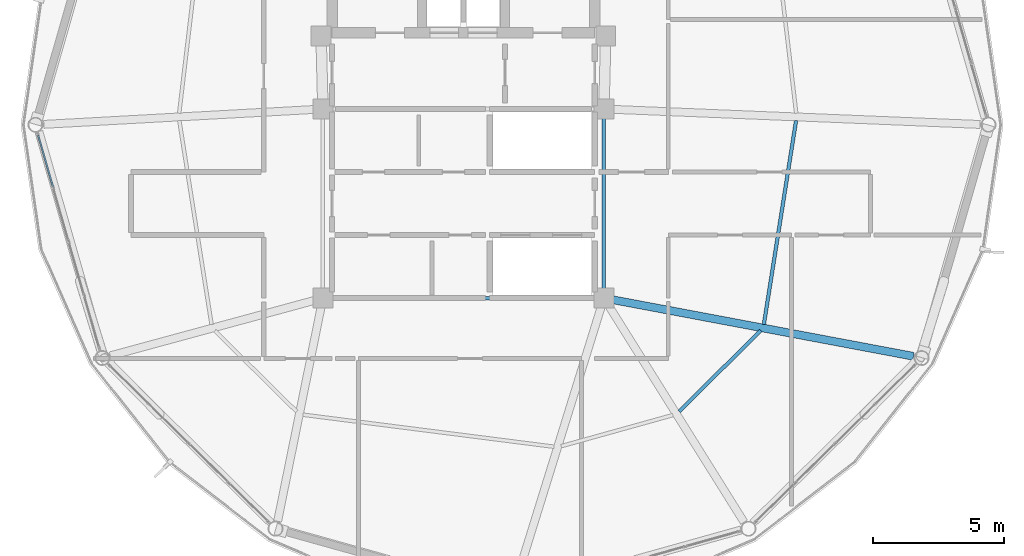
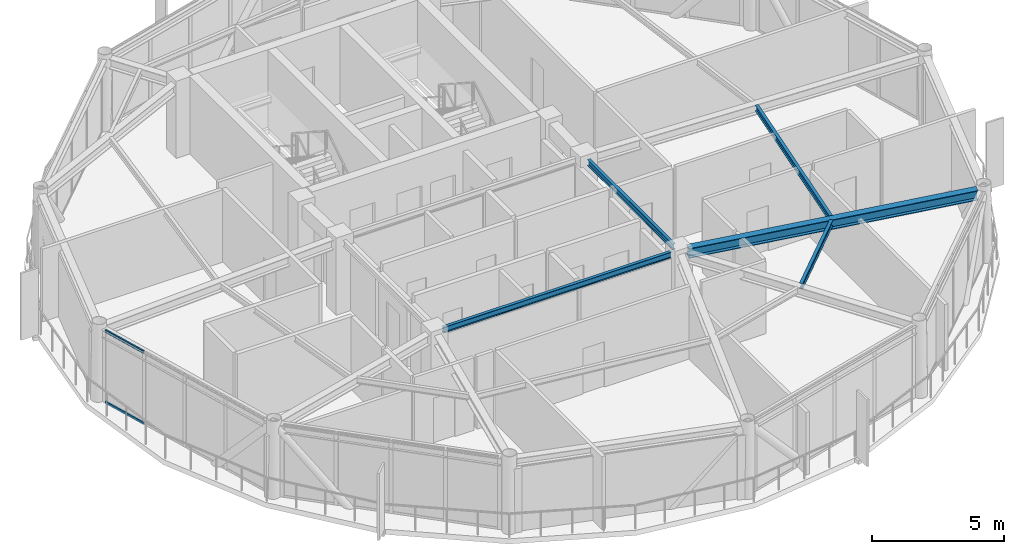
# One storey, part 10 of 26: 5 beams, 2 members, 1 element without a shape of its own.
"""IFC4 building model written with IfcOpenShell, lengths in metres."""

import ifcopenshell
import ifcopenshell.guid

model = None  # the IFC model being written
_history = None  # IfcOwnerHistory: only IFC2X3 demands one
_inside = {}  # id of a spatial element -> (the spatial element, [elements in it])
_under = {}  # id of a project, library or spatial element -> (it, [spatial elements below it])
_declared = {}  # id of a project -> (the project, [libraries it declares])
_typed = {}  # id of a type object -> (the type object, [elements of that type])
_made_of = {}  # id of a material, layer set ... -> (it, [elements and type objects made of it])


def new_model(schema):
    """Start an empty IFC model of exactly this schema.

    Asked for "IFC4X3", IfcOpenShell would pick the latest addendum, in which some entities
    have other attributes; the version numbers below select the first issue.
    IFC2X3 requires an IfcOwnerHistory on every rooted entity: one is made here for all.
    """
    global model, _history
    if schema == "IFC4X3":
        model = ifcopenshell.file(schema_version=(4, 3, 0, 0))
    else:
        model = ifcopenshell.file(schema=schema)
    _inside.clear()
    _under.clear()
    _declared.clear()
    _typed.clear()
    _made_of.clear()
    _history = None
    if model.schema == "IFC2X3":
        org = make("IfcOrganization", Name="unknown")
        user = make(
            "IfcPersonAndOrganization",
            ThePerson=make("IfcPerson", FamilyName="unknown"),
            TheOrganization=org,
        )
        app = make(
            "IfcApplication",
            ApplicationDeveloper=org,
            Version="unknown",
            ApplicationFullName="unknown",
            ApplicationIdentifier="unknown",
        )
        _history = make(
            "IfcOwnerHistory",
            OwningUser=user,
            OwningApplication=app,
            ChangeAction="ADDED",
            CreationDate=0,
        )
    return model


def make(cls, **values):
    """One entity of the class cls with the attributes given. An attribute that is None is left unset."""
    return model.create_entity(
        cls, **{name: value for name, value in values.items() if value is not None}
    )


def rooted(cls, **values):
    """An entity with a GlobalId (a new one), such as an element, a storey or a relation."""
    return make(cls, GlobalId=ifcopenshell.guid.new(), OwnerHistory=_history, **values)


def si_unit(unit_type, name, prefix=None):
    """IfcSIUnit, for example si_unit("LENGTHUNIT", "METRE", prefix="MILLI")."""
    return make("IfcSIUnit", UnitType=unit_type, Prefix=prefix, Name=name)


def assignment(units):
    """IfcUnitAssignment: the units of a project."""
    return None if units is None else make("IfcUnitAssignment", Units=units)


def point(xyz):
    """IfcCartesianPoint."""
    return None if xyz is None else make("IfcCartesianPoint", Coordinates=xyz)


def direction(xyz):
    """IfcDirection."""
    return None if xyz is None else make("IfcDirection", DirectionRatios=xyz)


def frame(location, z_axis=None, x_axis=None):
    """IfcAxis2Placement3D, a coordinate frame: its origin and axes. An axis left out is left unset."""
    return make(
        "IfcAxis2Placement3D",
        Location=point(location),
        Axis=direction(z_axis),
        RefDirection=direction(x_axis),
    )


def frame_2d(location, x_axis=None):
    """IfcAxis2Placement2D, a coordinate frame in the plane: its origin and x axis."""
    return make(
        "IfcAxis2Placement2D", Location=point(location), RefDirection=direction(x_axis)
    )


def origin():
    """The frame at (0, 0, 0) with its axes left unset."""
    return frame((0.0, 0.0, 0.0))


def origin_2d():
    """The frame at (0, 0) in the plane with its x axis left unset."""
    return frame_2d((0.0, 0.0))


def place(relative_to, where):
    """IfcLocalPlacement: puts the frame where relative to a parent placement (None: the world)."""
    return make(
        "IfcLocalPlacement", PlacementRelTo=relative_to, RelativePlacement=where
    )


def context(
    kind, dimensions, precision=None, world=None, true_north=None, identifier=None
):
    """IfcGeometricRepresentationContext, for example the 3D "Model" context."""
    return make(
        "IfcGeometricRepresentationContext",
        ContextIdentifier=identifier,
        ContextType=kind,
        CoordinateSpaceDimension=dimensions,
        Precision=precision,
        WorldCoordinateSystem=world,
        TrueNorth=true_north,
    )


def subcontext(parent, identifier, kind, view, scale=None):
    """IfcGeometricRepresentationSubContext, for example "Body" below "Model"."""
    return make(
        "IfcGeometricRepresentationSubContext",
        ContextIdentifier=identifier,
        ContextType=kind,
        ParentContext=parent,
        TargetScale=scale,
        TargetView=view,
    )


def project(units=None, contexts=None):
    """IfcProject with its units and contexts."""
    return rooted(
        "IfcProject",
        Name="project",
        RepresentationContexts=contexts,
        UnitsInContext=assignment(units),
    )


def spatial(cls, under=None, at=None, **own):
    """A site, building, storey or space (cls), placed at a placement, below another one or the project."""
    s = rooted(cls, ObjectPlacement=at, **own)
    if under is not None:
        _under.setdefault(under.id(), (under, []))[1].append(s)
    return s


def profile(cls, at=None, kind="AREA", **sizes):
    """A parametric profile (cls). Its sizes go by their IFC names, for example OverallWidth=200.0."""
    return make(cls, ProfileType=kind, Position=at, **sizes)


def hollow_rectangle(**sizes):
    """IfcRectangleHollowProfileDef."""
    return profile("IfcRectangleHollowProfileDef", **sizes)


def i_section(**sizes):
    """IfcIShapeProfileDef."""
    return profile("IfcIShapeProfileDef", **sizes)


def extrude(swept, where, along, depth):
    """IfcExtrudedAreaSolid: the profile swept, set in the frame where, extruded along a direction by depth."""
    return make(
        "IfcExtrudedAreaSolid",
        SweptArea=swept,
        Position=where,
        ExtrudedDirection=direction(along),
        Depth=depth,
    )


def shape(context_of_items, identifier, shape_type, items):
    """IfcShapeRepresentation: the items that make up one representation, for example the "Body"."""
    return make(
        "IfcShapeRepresentation",
        ContextOfItems=context_of_items,
        RepresentationIdentifier=identifier,
        RepresentationType=shape_type,
        Items=items,
    )


def material(Name=None, Category=None):
    """IfcMaterial."""
    return make("IfcMaterial", Name=Name, Category=Category)


def layer(
    of_material, thickness, ventilated=None, Name=None, Category=None, Priority=None
):
    """IfcMaterialLayer: one layer of a wall or slab, of a material (None: an air gap)."""
    return make(
        "IfcMaterialLayer",
        Material=of_material,
        LayerThickness=thickness,
        IsVentilated=ventilated,
        Name=Name,
        Category=Category,
        Priority=Priority,
    )


def layer_set(layers, Name=None):
    """IfcMaterialLayerSet."""
    return make("IfcMaterialLayerSet", MaterialLayers=layers, LayerSetName=Name)


def material_profile(
    of_material, cross_section, Name=None, Category=None, Priority=None
):
    """IfcMaterialProfile: a cross section and its material."""
    return make(
        "IfcMaterialProfile",
        Name=Name,
        Material=of_material,
        Profile=cross_section,
        Priority=Priority,
        Category=Category,
    )


def profile_set(profiles, Name=None, composite=None):
    """IfcMaterialProfileSet."""
    return make(
        "IfcMaterialProfileSet",
        Name=Name,
        MaterialProfiles=profiles,
        CompositeProfile=composite,
    )


def made_of(thing, what):
    """Note that an element or type object is made of a material, layer set ...; save() writes the relation."""
    if what is not None:
        _made_of.setdefault(what.id(), (what, []))[1].append(thing)
    return thing


def type_object(cls, material=None, **own):
    """A type object (cls), such as IfcWallType, which elements share."""
    return made_of(rooted(cls, **own), material)


def element(
    cls,
    number,
    at=None,
    inside=None,
    cuts=None,
    type_object=None,
    material=None,
    context=None,
    identifier="Body",
    shape_type=None,
    held_by="IfcProductDefinitionShape",
    body=None,
    shapes=None,
    **own,
):
    """One element of the class cls, such as IfcWall. Its Tag is "e" and its number.

    at: its placement. inside: the storey or other place that contains it. cuts: it is an
    opening in that element (IfcRelVoidsElement). A single representation is given by context,
    identifier, shape_type and body (its items); several are given by shapes. held_by: the class
    of the entity that holds the representations. save() writes the other relations.
    """
    e = rooted(cls, Tag="e%d" % number, ObjectPlacement=at, **own)
    if body is not None:
        shapes = [shape(context, identifier, shape_type, body)]
    if shapes is not None:
        e.Representation = make(held_by, Representations=shapes)
    if inside is not None:
        _inside.setdefault(inside.id(), (inside, []))[1].append(e)
    if cuts is not None:
        rooted(
            "IfcRelVoidsElement", RelatingBuildingElement=cuts, RelatedOpeningElement=e
        )
    if type_object is not None:
        _typed.setdefault(type_object.id(), (type_object, []))[1].append(e)
    return made_of(e, material)


def aggregate(whole, parts):
    """IfcRelAggregates: a whole, such as a stair, and the parts it consists of."""
    return rooted("IfcRelAggregates", RelatingObject=whole, RelatedObjects=parts)


def save(model, path):
    """Write the relations noted so far, then the file.

    IfcRelAggregates (storeys below a building ...), IfcRelContainedInSpatialStructure (elements
    in a storey), IfcRelDefinesByType, IfcRelAssociatesMaterial and IfcRelDeclares: one each for
    every whole, place, type object, material and project.
    """
    for whole, parts in _under.values():
        aggregate(whole, parts)
    for where, things in _inside.values():
        rooted(
            "IfcRelContainedInSpatialStructure",
            RelatedElements=things,
            RelatingStructure=where,
        )
    for kind, things in _typed.values():
        rooted("IfcRelDefinesByType", RelatedObjects=things, RelatingType=kind)
    for what, things in _made_of.values():
        rooted("IfcRelAssociatesMaterial", RelatedObjects=things, RelatingMaterial=what)
    for by, libraries in _declared.values():
        rooted("IfcRelDeclares", RelatingContext=by, RelatedDefinitions=libraries)
    model.write(path)


model = new_model("IFC4")

# Units and contexts
model_context = context("Model", 3, precision=1e-05, world=origin(), true_north=direction((0.0, 1.0)))
body_context = subcontext(model_context, "Body", "Model", "MODEL_VIEW")
ifc_project = project(units=[si_unit("LENGTHUNIT", "METRE"), si_unit("AREAUNIT", "SQUARE_METRE"), si_unit("VOLUMEUNIT", "CUBIC_METRE"), si_unit("PLANEANGLEUNIT", "RADIAN"), si_unit("MASSUNIT", "GRAM", prefix="KILO")], contexts=[model_context])

# Site, building, storey
site_placement = place(None, origin())
site = spatial("IfcSite", under=ifc_project, at=site_placement, CompositionType="ELEMENT")
building_placement = place(site_placement, origin())
building = spatial("IfcBuilding", under=site, at=building_placement, Name="Varnakorn Sky Granary", CompositionType="ELEMENT")
storey_placement = place(building_placement, frame((0.0, 0.0, 267.0)))
storey = spatial("IfcBuildingStorey", under=building, at=storey_placement, Name="L68", CompositionType="ELEMENT", Elevation=267.0)

# Beams
ifc_material_1 = material(Name="Steel S355JR", Category="steel")
ifc_material_profile_1 = material_profile(ifc_material_1, i_section(OverallWidth=0.300048828125, OverallDepth=0.449951171875, WebThickness=0.013916015625, FlangeThickness=0.02587890625, at=origin_2d()), Name="HE 450 B")
ifc_profile_set_1 = profile_set([ifc_material_profile_1], Name="Steel S355JR")
beam_type_1 = type_object("IfcBeamType", Name="BM-RAD-Z5", PredefinedType="BEAM", material=ifc_profile_set_1)
beam_1_placement = place(storey_placement, frame((8.698974609375, -6.66552734375, 3.135009765625), z_axis=(0.982753027092, -0.184922923787, 0.0), x_axis=(0.184922923787, 0.982753027092, 0.0)))
element("IfcBeam", 1, at=beam_1_placement, inside=storey, type_object=beam_type_1, Name="Radial Floor Girder RG12 L68", PredefinedType="BEAM", context=body_context, shape_type="SweptSolid", body=[
    extrude(i_section(OverallWidth=0.300048828125, OverallDepth=0.449951171875, WebThickness=0.013916015625, FlangeThickness=0.02587890625, at=origin_2d()), origin(), (0.0, 0.0, 1.0), 11.640380859375),
])
ifc_material_profile_2 = material_profile(ifc_material_1, i_section(OverallWidth=0.135009765625, OverallDepth=0.27001953125, WebThickness=0.006591796875, FlangeThickness=0.01025390625, at=origin_2d()), Name="IPE 270")
ifc_profile_set_2 = profile_set([ifc_material_profile_2], Name="Steel S355JR")
beam_type_2 = type_object("IfcBeamType", Name="BM-SEC-Z5", PredefinedType="BEAM", material=ifc_profile_set_2)
beam_2_placement = place(storey_placement, frame((11.2119140625, -10.9189453125, 3.22509765625), z_axis=(0.710392100084, 0.703806126812, 0.0), x_axis=(-0.703806126812, 0.710392100084, 0.0)))
element("IfcBeam", 2, at=beam_2_placement, inside=storey, type_object=beam_type_2, Name="Secondary Floor Chord Beam MSB11 L68", PredefinedType="BEAM", context=body_context, shape_type="SweptSolid", body=[
    extrude(i_section(OverallWidth=0.135009765625, OverallDepth=0.27001953125, WebThickness=0.006591796875, FlangeThickness=0.01025390625, at=origin_2d()), origin(), (0.0, 0.0, 1.0), 4.374267578125),
])
beam_3_placement = place(storey_placement, frame((14.440673828125, -7.603515625, 3.22509765625), z_axis=(0.156117293585, 0.987738523418, 0.0), x_axis=(-0.987738523418, 0.156117293585, 0.0)))
element("IfcBeam", 3, at=beam_3_placement, inside=storey, type_object=beam_type_2, Name="Secondary Floor Chord Beam MSB12 L68", PredefinedType="BEAM", context=body_context, shape_type="SweptSolid", body=[
    extrude(i_section(OverallWidth=0.135009765625, OverallDepth=0.27001953125, WebThickness=0.006591796875, FlangeThickness=0.01025390625, at=origin_2d()), origin(), (0.0, 0.0, 1.0), 7.85986328125),
])
beam_4_placement = place(storey_placement, frame((8.35009765625, 0.2451171875, 3.22509765625), z_axis=(0.0, -1.0, 0.0), x_axis=(1.0, 0.0, 0.0)))
element("IfcBeam", 4, at=beam_4_placement, inside=storey, type_object=beam_type_2, Name="Core Spine Framing Beam 4 L68", PredefinedType="BEAM", context=body_context, shape_type="SweptSolid", body=[
    extrude(i_section(OverallWidth=0.135009765625, OverallDepth=0.27001953125, WebThickness=0.006591796875, FlangeThickness=0.01025390625, at=origin_2d()), origin(), (0.0, 0.0, 1.0), 6.490234375),
])
beam_5_placement = place(storey_placement, frame((-1.9951171875, -6.60009765625, 3.22509765625), z_axis=(1.0, 0.0, 0.0), x_axis=(0.0, 1.0, 0.0)))
element("IfcBeam", 5, at=beam_5_placement, inside=storey, type_object=beam_type_2, Name="Core Spine Framing Beam 6 L68", PredefinedType="BEAM", context=body_context, shape_type="SweptSolid", body=[
    extrude(i_section(OverallWidth=0.135009765625, OverallDepth=0.27001953125, WebThickness=0.006591796875, FlangeThickness=0.01025390625, at=origin_2d()), origin(), (0.0, 0.0, 1.0), 9.990234375),
])

# Curtain wall, members
ifc_material_2 = material(Name="Anodised Bronze Aluminium Alloy 6063-T6", Category="aluminium")
ifc_layer = layer(ifc_material_2, 0.159912109375, Name="Anodised Bronze Aluminium Alloy 6063-T6")
ifc_layer_set = layer_set([ifc_layer], Name="Anodised Bronze Aluminium Alloy 6063-T6")
curtain_wall_type = type_object("IfcCurtainWallType", Name="CW-OFF-1", PredefinedType="USERDEFINED", material=ifc_layer_set)
curtain_wall_placement = place(storey_placement, origin())
curtain_wall = element("IfcCurtainWall", 6, at=curtain_wall_placement, inside=storey, type_object=curtain_wall_type, Name="Unitised Curtain Wall CW6 CW-L68-B07", ObjectType="CURTAIN WALL", PredefinedType="USERDEFINED")
ifc_material_profile_3 = material_profile(ifc_material_2, hollow_rectangle(XDim=0.06494140625, YDim=0.1201171875, WallThickness=0.00341796875, at=origin_2d()), Name="ALU TRAN 65x120")
ifc_profile_set_3 = profile_set([ifc_material_profile_3], Name="Anodised Bronze Aluminium Alloy 6063-T6")
member_type = type_object("IfcMemberType", Name="CW-OFF-1-TRAN", PredefinedType="USERDEFINED", material=ifc_profile_set_3)
member_1_placement = place(storey_placement, frame((-12.630859375, -2.35302734375, 0.032470703125), z_axis=(-0.275841193395, 0.961203223063, 0.0), x_axis=(-0.961203223063, -0.275841193395, 0.0)))
member_1 = element("IfcMember", 7, at=member_1_placement, type_object=member_type, Name="CW6 transom 4.1", ObjectType="TRANSOM", PredefinedType="USERDEFINED", context=body_context, shape_type="SweptSolid", body=[
    extrude(hollow_rectangle(XDim=0.06494140625, YDim=0.1201171875, WallThickness=0.00341796875, at=origin_2d()), origin(), (0.0, 0.0, 1.0), 2.043701171875),
])
member_2_placement = place(storey_placement, frame((-12.630859375, -2.35302734375, 3.327392578125), z_axis=(-0.275841193395, 0.961203223063, 0.0), x_axis=(-0.961203223063, -0.275841193395, 0.0)))
member_2 = element("IfcMember", 8, at=member_2_placement, type_object=member_type, Name="CW6 transom 4.2", ObjectType="TRANSOM", PredefinedType="USERDEFINED", context=body_context, shape_type="SweptSolid", body=[
    extrude(hollow_rectangle(XDim=0.06494140625, YDim=0.1201171875, WallThickness=0.00341796875, at=origin_2d()), origin(), (0.0, 0.0, 1.0), 2.043701171875),
])
aggregate(curtain_wall, [member_1, member_2])

save(model, "model.ifc")
